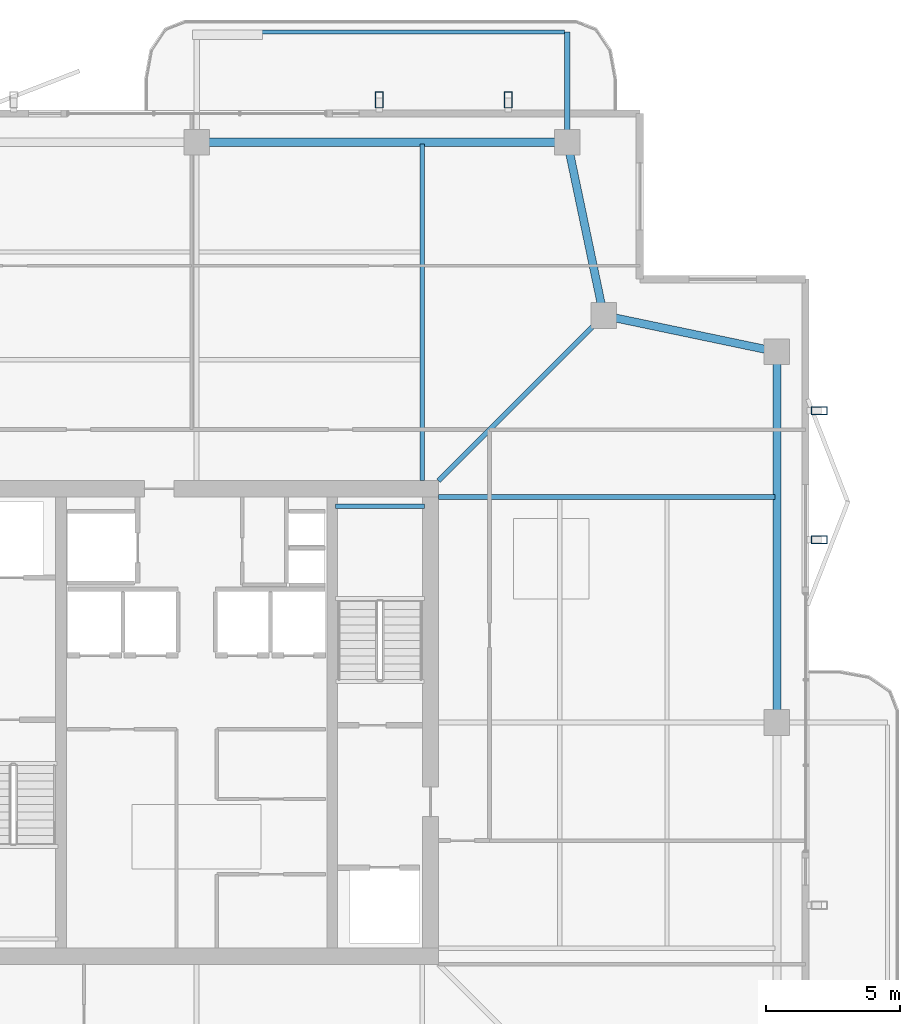
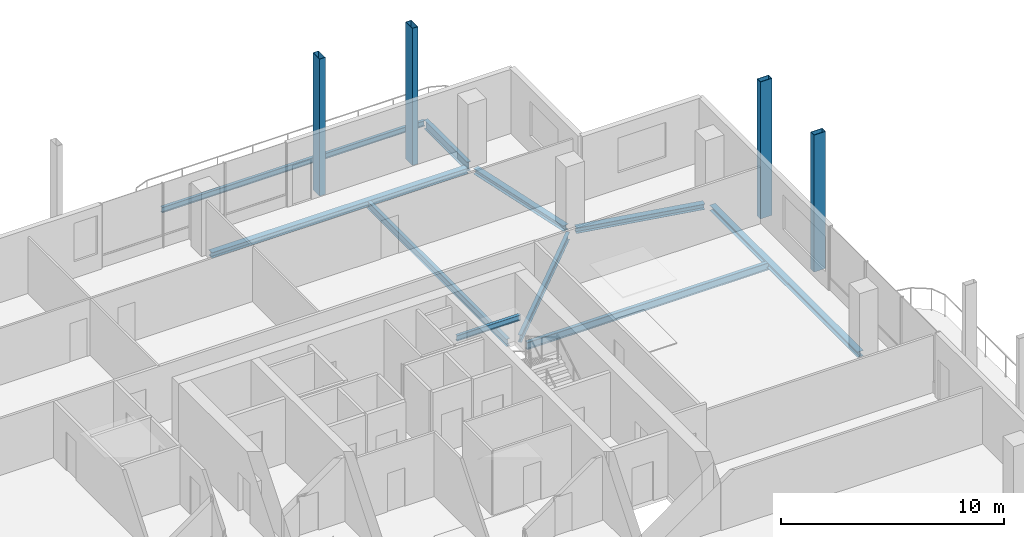
# One storey, part 12 of 20: 10 beams, 4 members.
"""IFC4 building model written with IfcOpenShell, lengths in metres."""

import ifcopenshell
import ifcopenshell.guid

model = None  # the IFC model being written
_history = None  # IfcOwnerHistory: only IFC2X3 demands one
_inside = {}  # id of a spatial element -> (the spatial element, [elements in it])
_under = {}  # id of a project, library or spatial element -> (it, [spatial elements below it])
_declared = {}  # id of a project -> (the project, [libraries it declares])
_typed = {}  # id of a type object -> (the type object, [elements of that type])
_made_of = {}  # id of a material, layer set ... -> (it, [elements and type objects made of it])


def new_model(schema):
    """Start an empty IFC model of exactly this schema.

    Asked for "IFC4X3", IfcOpenShell would pick the latest addendum, in which some entities
    have other attributes; the version numbers below select the first issue.
    IFC2X3 requires an IfcOwnerHistory on every rooted entity: one is made here for all.
    """
    global model, _history
    if schema == "IFC4X3":
        model = ifcopenshell.file(schema_version=(4, 3, 0, 0))
    else:
        model = ifcopenshell.file(schema=schema)
    _inside.clear()
    _under.clear()
    _declared.clear()
    _typed.clear()
    _made_of.clear()
    _history = None
    if model.schema == "IFC2X3":
        org = make("IfcOrganization", Name="unknown")
        user = make(
            "IfcPersonAndOrganization",
            ThePerson=make("IfcPerson", FamilyName="unknown"),
            TheOrganization=org,
        )
        app = make(
            "IfcApplication",
            ApplicationDeveloper=org,
            Version="unknown",
            ApplicationFullName="unknown",
            ApplicationIdentifier="unknown",
        )
        _history = make(
            "IfcOwnerHistory",
            OwningUser=user,
            OwningApplication=app,
            ChangeAction="ADDED",
            CreationDate=0,
        )
    return model


def make(cls, **values):
    """One entity of the class cls with the attributes given. An attribute that is None is left unset."""
    return model.create_entity(
        cls, **{name: value for name, value in values.items() if value is not None}
    )


def rooted(cls, **values):
    """An entity with a GlobalId (a new one), such as an element, a storey or a relation."""
    return make(cls, GlobalId=ifcopenshell.guid.new(), OwnerHistory=_history, **values)


def si_unit(unit_type, name, prefix=None):
    """IfcSIUnit, for example si_unit("LENGTHUNIT", "METRE", prefix="MILLI")."""
    return make("IfcSIUnit", UnitType=unit_type, Prefix=prefix, Name=name)


def assignment(units):
    """IfcUnitAssignment: the units of a project."""
    return None if units is None else make("IfcUnitAssignment", Units=units)


def point(xyz):
    """IfcCartesianPoint."""
    return None if xyz is None else make("IfcCartesianPoint", Coordinates=xyz)


def direction(xyz):
    """IfcDirection."""
    return None if xyz is None else make("IfcDirection", DirectionRatios=xyz)


def frame(location, z_axis=None, x_axis=None):
    """IfcAxis2Placement3D, a coordinate frame: its origin and axes. An axis left out is left unset."""
    return make(
        "IfcAxis2Placement3D",
        Location=point(location),
        Axis=direction(z_axis),
        RefDirection=direction(x_axis),
    )


def frame_2d(location, x_axis=None):
    """IfcAxis2Placement2D, a coordinate frame in the plane: its origin and x axis."""
    return make(
        "IfcAxis2Placement2D", Location=point(location), RefDirection=direction(x_axis)
    )


def origin():
    """The frame at (0, 0, 0) with its axes left unset."""
    return frame((0.0, 0.0, 0.0))


def origin_2d():
    """The frame at (0, 0) in the plane with its x axis left unset."""
    return frame_2d((0.0, 0.0))


def place(relative_to, where):
    """IfcLocalPlacement: puts the frame where relative to a parent placement (None: the world)."""
    return make(
        "IfcLocalPlacement", PlacementRelTo=relative_to, RelativePlacement=where
    )


def context(
    kind, dimensions, precision=None, world=None, true_north=None, identifier=None
):
    """IfcGeometricRepresentationContext, for example the 3D "Model" context."""
    return make(
        "IfcGeometricRepresentationContext",
        ContextIdentifier=identifier,
        ContextType=kind,
        CoordinateSpaceDimension=dimensions,
        Precision=precision,
        WorldCoordinateSystem=world,
        TrueNorth=true_north,
    )


def subcontext(parent, identifier, kind, view, scale=None):
    """IfcGeometricRepresentationSubContext, for example "Body" below "Model"."""
    return make(
        "IfcGeometricRepresentationSubContext",
        ContextIdentifier=identifier,
        ContextType=kind,
        ParentContext=parent,
        TargetScale=scale,
        TargetView=view,
    )


def project(units=None, contexts=None):
    """IfcProject with its units and contexts."""
    return rooted(
        "IfcProject",
        Name="project",
        RepresentationContexts=contexts,
        UnitsInContext=assignment(units),
    )


def spatial(cls, under=None, at=None, **own):
    """A site, building, storey or space (cls), placed at a placement, below another one or the project."""
    s = rooted(cls, ObjectPlacement=at, **own)
    if under is not None:
        _under.setdefault(under.id(), (under, []))[1].append(s)
    return s


def profile(cls, at=None, kind="AREA", **sizes):
    """A parametric profile (cls). Its sizes go by their IFC names, for example OverallWidth=200.0."""
    return make(cls, ProfileType=kind, Position=at, **sizes)


def hollow_rectangle(**sizes):
    """IfcRectangleHollowProfileDef."""
    return profile("IfcRectangleHollowProfileDef", **sizes)


def i_section(**sizes):
    """IfcIShapeProfileDef."""
    return profile("IfcIShapeProfileDef", **sizes)


def extrude(swept, where, along, depth):
    """IfcExtrudedAreaSolid: the profile swept, set in the frame where, extruded along a direction by depth."""
    return make(
        "IfcExtrudedAreaSolid",
        SweptArea=swept,
        Position=where,
        ExtrudedDirection=direction(along),
        Depth=depth,
    )


def shape(context_of_items, identifier, shape_type, items):
    """IfcShapeRepresentation: the items that make up one representation, for example the "Body"."""
    return make(
        "IfcShapeRepresentation",
        ContextOfItems=context_of_items,
        RepresentationIdentifier=identifier,
        RepresentationType=shape_type,
        Items=items,
    )


def material(Name=None, Category=None):
    """IfcMaterial."""
    return make("IfcMaterial", Name=Name, Category=Category)


def material_profile(
    of_material, cross_section, Name=None, Category=None, Priority=None
):
    """IfcMaterialProfile: a cross section and its material."""
    return make(
        "IfcMaterialProfile",
        Name=Name,
        Material=of_material,
        Profile=cross_section,
        Priority=Priority,
        Category=Category,
    )


def profile_set(profiles, Name=None, composite=None):
    """IfcMaterialProfileSet."""
    return make(
        "IfcMaterialProfileSet",
        Name=Name,
        MaterialProfiles=profiles,
        CompositeProfile=composite,
    )


def made_of(thing, what):
    """Note that an element or type object is made of a material, layer set ...; save() writes the relation."""
    if what is not None:
        _made_of.setdefault(what.id(), (what, []))[1].append(thing)
    return thing


def type_object(cls, material=None, **own):
    """A type object (cls), such as IfcWallType, which elements share."""
    return made_of(rooted(cls, **own), material)


def element(
    cls,
    number,
    at=None,
    inside=None,
    cuts=None,
    type_object=None,
    material=None,
    context=None,
    identifier="Body",
    shape_type=None,
    held_by="IfcProductDefinitionShape",
    body=None,
    shapes=None,
    **own,
):
    """One element of the class cls, such as IfcWall. Its Tag is "e" and its number.

    at: its placement. inside: the storey or other place that contains it. cuts: it is an
    opening in that element (IfcRelVoidsElement). A single representation is given by context,
    identifier, shape_type and body (its items); several are given by shapes. held_by: the class
    of the entity that holds the representations. save() writes the other relations.
    """
    e = rooted(cls, Tag="e%d" % number, ObjectPlacement=at, **own)
    if body is not None:
        shapes = [shape(context, identifier, shape_type, body)]
    if shapes is not None:
        e.Representation = make(held_by, Representations=shapes)
    if inside is not None:
        _inside.setdefault(inside.id(), (inside, []))[1].append(e)
    if cuts is not None:
        rooted(
            "IfcRelVoidsElement", RelatingBuildingElement=cuts, RelatedOpeningElement=e
        )
    if type_object is not None:
        _typed.setdefault(type_object.id(), (type_object, []))[1].append(e)
    return made_of(e, material)


def aggregate(whole, parts):
    """IfcRelAggregates: a whole, such as a stair, and the parts it consists of."""
    return rooted("IfcRelAggregates", RelatingObject=whole, RelatedObjects=parts)


def save(model, path):
    """Write the relations noted so far, then the file.

    IfcRelAggregates (storeys below a building ...), IfcRelContainedInSpatialStructure (elements
    in a storey), IfcRelDefinesByType, IfcRelAssociatesMaterial and IfcRelDeclares: one each for
    every whole, place, type object, material and project.
    """
    for whole, parts in _under.values():
        aggregate(whole, parts)
    for where, things in _inside.values():
        rooted(
            "IfcRelContainedInSpatialStructure",
            RelatedElements=things,
            RelatingStructure=where,
        )
    for kind, things in _typed.values():
        rooted("IfcRelDefinesByType", RelatedObjects=things, RelatingType=kind)
    for what, things in _made_of.values():
        rooted("IfcRelAssociatesMaterial", RelatedObjects=things, RelatingMaterial=what)
    for by, libraries in _declared.values():
        rooted("IfcRelDeclares", RelatingContext=by, RelatedDefinitions=libraries)
    model.write(path)


model = new_model("IFC4")

# Units and contexts
model_context = context("Model", 3, precision=1e-05, world=origin(), true_north=direction((0.0, 1.0)))
body_context = subcontext(model_context, "Body", "Model", "MODEL_VIEW")
ifc_project = project(units=[si_unit("LENGTHUNIT", "METRE"), si_unit("AREAUNIT", "SQUARE_METRE"), si_unit("VOLUMEUNIT", "CUBIC_METRE"), si_unit("PLANEANGLEUNIT", "RADIAN"), si_unit("MASSUNIT", "GRAM", prefix="KILO")], contexts=[model_context])

# Site, building, storey
site_placement = place(None, origin())
site = spatial("IfcSite", under=ifc_project, at=site_placement, CompositionType="ELEMENT")
building_placement = place(site_placement, origin())
building = spatial("IfcBuilding", under=site, at=building_placement, Name="Belovzor Exchange Tower", CompositionType="ELEMENT")
storey_placement = place(building_placement, frame((0.0, 0.0, 314.25)))
storey = spatial("IfcBuildingStorey", under=building, at=storey_placement, Name="L78", CompositionType="ELEMENT", Elevation=314.25)

# Beams
ifc_material_1 = material(Name="Steel S355", Category="steel")
ifc_material_profile_1 = material_profile(ifc_material_1, i_section(OverallWidth=0.199951171875, OverallDepth=0.5, WebThickness=0.01025390625, FlangeThickness=0.01611328125, at=origin_2d()))
ifc_profile_set_1 = profile_set([ifc_material_profile_1], Name="Steel S355")
beam_type_1 = type_object("IfcBeamType", Name="Planted Balcony Cantilever Beam IPE 500", PredefinedType="BEAM", material=ifc_profile_set_1)
beam_1_placement = place(storey_placement, frame((42.60009765625, 50.660888671875, -0.489990234375), z_axis=(0.0, 1.0, 0.0), x_axis=(-1.0, 0.0, 0.0)))
element("IfcBeam", 1, at=beam_1_placement, inside=storey, type_object=beam_type_1, Name="BC-500 Planted Balcony Cantilever Beam IPE 500", PredefinedType="BEAM", context=body_context, shape_type="SweptSolid", body=[
    extrude(i_section(OverallWidth=0.199951171875, OverallDepth=0.5, WebThickness=0.01025390625, FlangeThickness=0.01611328125, at=origin_2d()), origin(), (0.0, 0.0, 1.0), 3.85009765625),
])
ifc_material_2 = material(Name="Steel S355", Category="steel")
ifc_material_profile_2 = material_profile(ifc_material_2, i_section(OverallWidth=0.14990234375, OverallDepth=0.300048828125, WebThickness=0.007080078125, FlangeThickness=0.0107421875, at=origin_2d()))
ifc_profile_set_2 = profile_set([ifc_material_profile_2], Name="Steel S355")
beam_type_2 = type_object("IfcBeamType", Name="Planted Balcony Fascia Edge Beam IPE 300", PredefinedType="BEAM", material=ifc_profile_set_2)
beam_2_placement = place(storey_placement, frame((42.5, 54.510986328125, -0.389892578125), z_axis=(-1.0, 0.0, 0.0), x_axis=(0.0, -1.0, 0.0)))
element("IfcBeam", 2, at=beam_2_placement, inside=storey, type_object=beam_type_2, Name="BC-300 Planted Balcony Fascia Edge Beam IPE 300", PredefinedType="BEAM", context=body_context, shape_type="SweptSolid", body=[
    extrude(i_section(OverallWidth=0.14990234375, OverallDepth=0.300048828125, WebThickness=0.007080078125, FlangeThickness=0.0107421875, at=origin_2d()), origin(), (0.0, 0.0, 1.0), 13.60009765625),
])
ifc_material_3 = material(Name="Steel S355", Category="steel")
ifc_material_profile_3 = material_profile(ifc_material_3, i_section(OverallWidth=0.14990234375, OverallDepth=0.300048828125, WebThickness=0.007080078125, FlangeThickness=0.0107421875, at=origin_2d()))
ifc_profile_set_3 = profile_set([ifc_material_profile_3], Name="Steel S355")
beam_type_3 = type_object("IfcBeamType", Name="Secondary Trim Floor Joist IPE 300", PredefinedType="BEAM", material=ifc_profile_set_3)
beam_3_placement = place(storey_placement, frame((37.280029296875, 36.85009765625, 1.52490234375), z_axis=(-1.0, 0.0, 0.0), x_axis=(0.0, -1.0, 0.0)))
element("IfcBeam", 3, at=beam_3_placement, inside=storey, type_object=beam_type_3, Name="FJ-300 Secondary Trim Floor Joist IPE 300", PredefinedType="BEAM", context=body_context, shape_type="SweptSolid", body=[
    extrude(i_section(OverallWidth=0.14990234375, OverallDepth=0.300048828125, WebThickness=0.007080078125, FlangeThickness=0.0107421875, at=origin_2d()), origin(), (0.0, 0.0, 1.0), 3.31005859375),
])

# Members
ifc_material_4 = material(Name="Extruded Architectural Terracotta on Steel S355 Carrier", Category="masonry")
ifc_material_profile_4 = material_profile(ifc_material_4, hollow_rectangle(XDim=0.300048828125, YDim=0.60009765625, WallThickness=0.01611328125, at=origin_2d()))
ifc_profile_set_4 = profile_set([ifc_material_profile_4], Name="Extruded Architectural Terracotta on Steel S355 Carrier")
member_type = type_object("IfcMemberType", Name="Upper Crown Terracotta Fin Assembly 550", PredefinedType="USERDEFINED", material=ifc_profile_set_4)
for number, where, z_axis, x_axis, name in (
    (4, (35.60009765625, 51.97509765625, -0.239990234375), (0.0, 0.0, 1.0), (1.0, 0.0, 0.0), "FIN-TC055 Terracotta Facade Fin L78 N3"),
    (5, (51.97509765625, 35.60009765625, -0.239990234375), (0.0, 0.0, 1.0), (0.0, 1.0, 0.0), "FIN-TC055 Terracotta Facade Fin L78 E3"),
    (6, (40.39990234375, 51.97509765625, -0.239990234375), (0.0, 0.0, 1.0), (1.0, 0.0, 0.0), "FIN-TC055 Terracotta Facade Fin L78 N4"),
    (7, (51.97509765625, 40.39990234375, -0.239990234375), (0.0, 0.0, 1.0), (0.0, 1.0, 0.0), "FIN-TC055 Terracotta Facade Fin L78 E4"),
):
    element("IfcMember", number, at=place(storey_placement, frame(where, z_axis=z_axis, x_axis=x_axis)), inside=storey, type_object=member_type, Name=name, ObjectType="FIN", PredefinedType="USERDEFINED", context=body_context, shape_type="SweptSolid", body=[
        extrude(hollow_rectangle(XDim=0.300048828125, YDim=0.60009765625, WallThickness=0.01611328125, at=origin_2d()), origin(), (0.0, 0.0, 1.0), 7.5),
    ])

# Beams
ifc_material_5 = material(Name="Steel S355", Category="steel")
ifc_material_profile_5 = material_profile(ifc_material_5, i_section(OverallWidth=0.179931640625, OverallDepth=0.39990234375, WebThickness=0.008544921875, FlangeThickness=0.013427734375, at=origin_2d()))
ifc_profile_set_5 = profile_set([ifc_material_profile_5], Name="Steel S355")
beam_type_4 = type_object("IfcBeamType", Name="Zone 5-6 Radial Composite Floor Beam IPE 400", PredefinedType="BEAM", material=ifc_profile_set_5)
for number, where, z_axis, x_axis, name in (
    (8, (37.199951171875, 37.800048828125, -0.43994140625), (0.0, 1.0, 0.0), (-1.0, 0.0, 0.0), "FB-400 Zone 5-6 Radial Composite Floor Beam IPE 400"),
    (9, (37.800048828125, 37.199951171875, -0.43994140625), (1.0, 0.0, 0.0), (0.0, 1.0, 0.0), "FB-400 Zone 5-6 Radial Composite Floor Beam IPE 400"),
):
    element("IfcBeam", number, at=place(storey_placement, frame(where, z_axis=z_axis, x_axis=x_axis)), inside=storey, type_object=beam_type_4, Name=name, PredefinedType="BEAM", context=body_context, shape_type="SweptSolid", body=[
        extrude(i_section(OverallWidth=0.179931640625, OverallDepth=0.39990234375, WebThickness=0.008544921875, FlangeThickness=0.013427734375, at=origin_2d()), origin(), (0.0, 0.0, 1.0), 12.52490234375),
    ])
beam_4_placement = place(storey_placement, frame((37.800048828125, 37.800048828125, -0.43994140625), z_axis=(0.707106781187, 0.707106781187, 0.0), x_axis=(-0.707106781187, 0.707106781187, 0.0)))
element("IfcBeam", 10, at=beam_4_placement, inside=storey, type_object=beam_type_4, Name="FB-400 Zone 5-6 Radial Composite Floor Beam IPE 400", PredefinedType="BEAM", context=body_context, shape_type="SweptSolid", body=[
    extrude(i_section(OverallWidth=0.179931640625, OverallDepth=0.39990234375, WebThickness=0.008544921875, FlangeThickness=0.013427734375, at=origin_2d()), origin(), (0.0, 0.0, 1.0), 8.362060546875),
])
ifc_material_6 = material(Name="Steel S355", Category="steel")
ifc_material_profile_6 = material_profile(ifc_material_6, i_section(OverallWidth=0.300048828125, OverallDepth=0.300048828125, WebThickness=0.008544921875, FlangeThickness=0.013916015625, at=origin_2d()))
ifc_profile_set_6 = profile_set([ifc_material_profile_6], Name="Steel S355")
beam_type_5 = type_object("IfcBeamType", Name="Zone 6 Primary Girder HEA 300", PredefinedType="BEAM", material=ifc_profile_set_6)
beam_5_placement = place(storey_placement, frame((50.39990234375, 29.06103515625, -0.389892578125), z_axis=(0.0, 1.0, 0.0), x_axis=(-1.0, 0.0, 0.0)))
element("IfcBeam", 11, at=beam_5_placement, inside=storey, type_object=beam_type_5, Name="FG-Z6 Zone 6 Primary Girder HEA 300", PredefinedType="BEAM", context=body_context, shape_type="SweptSolid", body=[
    extrude(i_section(OverallWidth=0.300048828125, OverallDepth=0.300048828125, WebThickness=0.008544921875, FlangeThickness=0.013916015625, at=origin_2d()), origin(), (0.0, 0.0, 1.0), 13.278076171875),
])
for number, where, z_axis, x_axis, name in (
    (12, (50.14404296875, 42.654052734375, -0.389892578125), (-0.978820078908, 0.204722380619, 0.0), (-0.204722380619, -0.978820078908, 0.0), "FG-Z6 Zone 6 Primary Girder HEA 300"),
    (13, (43.89599609375, 44.2060546875, -0.389892578125), (-0.204722380619, 0.978820078908, 0.0), (-0.978820078908, -0.204722380619, 0.0), "FG-Z6 Zone 6 Primary Girder HEA 300"),
):
    element("IfcBeam", number, at=place(storey_placement, frame(where, z_axis=z_axis, x_axis=x_axis)), inside=storey, type_object=beam_type_5, Name=name, PredefinedType="BEAM", context=body_context, shape_type="SweptSolid", body=[
        extrude(i_section(OverallWidth=0.300048828125, OverallDepth=0.300048828125, WebThickness=0.008544921875, FlangeThickness=0.013916015625, at=origin_2d()), origin(), (0.0, 0.0, 1.0), 6.06640625),
    ])
beam_6_placement = place(storey_placement, frame((42.339111328125, 50.39990234375, -0.389892578125), z_axis=(-1.0, 0.0, 0.0), x_axis=(0.0, -1.0, 0.0)))
element("IfcBeam", 14, at=beam_6_placement, inside=storey, type_object=beam_type_5, Name="FG-Z6 Zone 6 Primary Girder HEA 300", PredefinedType="BEAM", context=body_context, shape_type="SweptSolid", body=[
    extrude(i_section(OverallWidth=0.300048828125, OverallDepth=0.300048828125, WebThickness=0.008544921875, FlangeThickness=0.013916015625, at=origin_2d()), origin(), (0.0, 0.0, 1.0), 13.278076171875),
])

save(model, "model.ifc")
